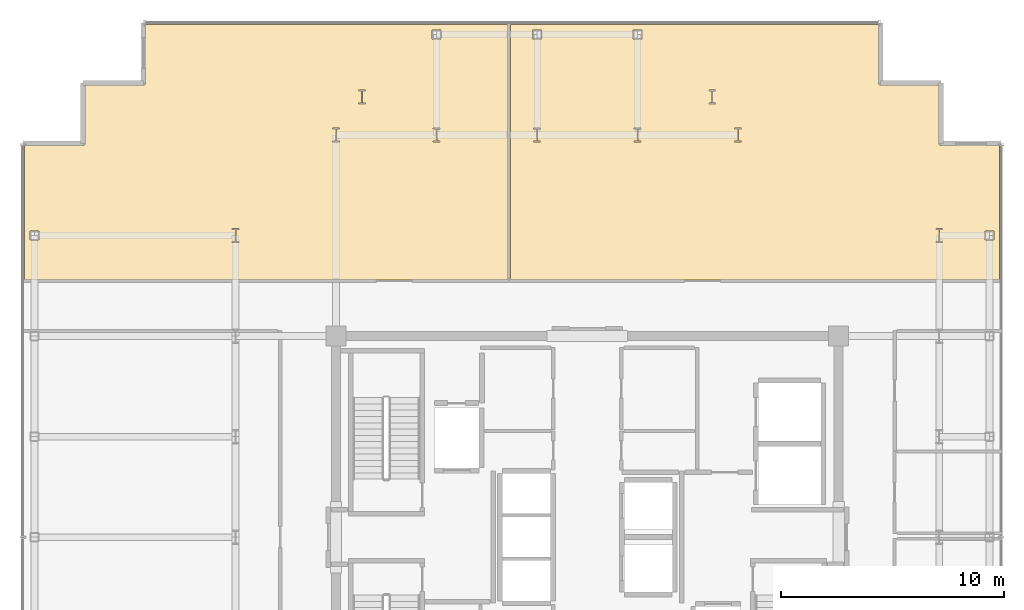
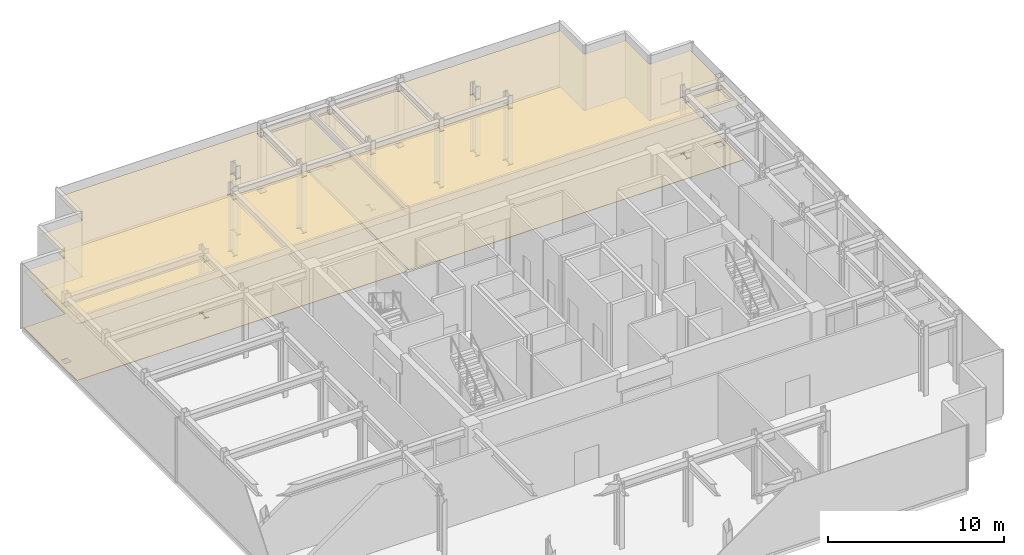
# One storey, part 17 of 17: 4 coverings.
"""IFC4 building model written with IfcOpenShell, lengths in metres."""

from ifc_helpers import new_model, si_unit, direction, frame, origin, place, context, subcontext, project, spatial, polyline, outline, extrude, material, layer, layer_set, type_object, element, save


model = new_model("IFC4")

# Units and contexts
model_context = context("Model", 3, precision=1e-05, world=origin(), true_north=direction((0.0, 1.0)))
body_context = subcontext(model_context, "Body", "Model", "MODEL_VIEW")
ifc_project = project(units=[si_unit("LENGTHUNIT", "METRE"), si_unit("AREAUNIT", "SQUARE_METRE"), si_unit("VOLUMEUNIT", "CUBIC_METRE"), si_unit("PLANEANGLEUNIT", "RADIAN"), si_unit("MASSUNIT", "GRAM", prefix="KILO")], contexts=[model_context])

# Site, building, storey
site_placement = place(None, origin())
site = spatial("IfcSite", under=ifc_project, at=site_placement, CompositionType="ELEMENT")
building_placement = place(site_placement, origin())
building = spatial("IfcBuilding", under=site, at=building_placement, Name="Nefas-Gora Pilgrimage Tower", CompositionType="ELEMENT")
storey_placement = place(building_placement, frame((0.0, 0.0, 349.0)))
storey = spatial("IfcBuildingStorey", under=building, at=storey_placement, Name="L88", CompositionType="ELEMENT", Elevation=349.0)

# Coverings
ifc_material_1 = material(Name="Perforated gypsum acoustic ceiling")
ifc_layer_1 = layer(ifc_material_1, 0.02490234375)
ifc_layer_set_1 = layer_set([ifc_layer_1], Name="Perforated gypsum acoustic ceiling")
covering_type_1 = type_object("IfcCoveringType", Name="COV-CEIL-ACOUST", PredefinedType="CEILING", material=ifc_layer_set_1)
covering_1_placement = place(storey_placement, frame((0.0, 0.0, 3.905029296875)))
element("IfcCovering", 1, at=covering_1_placement, inside=storey, type_object=covering_type_1, Name="L88 Acoustic Suspended Ceiling (Addis Ababa North Horizon Observation Deck)", PredefinedType="CEILING", context=body_context, shape_type="SweptSolid", body=[
    extrude(outline(polyline([(-25.18994140625, 17.5400390625), (-25.18994140625, 11.510009765625), (-13.719970703125, 11.510009765625), (-3.56005859375, 11.510009765625), (-3.56005859375, 22.93994140625), (-19.7900390625, 22.93994140625), (-19.7900390625, 20.320068359375), (-19.790283203125, 20.312255859375), (-19.79150390625, 20.304443359375), (-19.79345703125, 20.296875), (-19.796142578125, 20.289306640625), (-19.79931640625, 20.2822265625), (-19.803466796875, 20.275634765625), (-19.80810546875, 20.269287109375), (-19.8134765625, 20.263427734375), (-19.819091796875, 20.25830078125), (-19.82568359375, 20.25341796875), (-19.832275390625, 20.24951171875), (-19.83935546875, 20.24609375), (-19.8466796875, 20.243408203125), (-19.8544921875, 20.241455078125), (-19.8623046875, 20.240478515625), (-19.8701171875, 20.239990234375), (-22.489990234375, 20.239990234375), (-22.489990234375, 17.6201171875), (-22.490478515625, 17.6123046875), (-22.491455078125, 17.6044921875), (-22.493408203125, 17.5966796875), (-22.49609375, 17.58935546875), (-22.49951171875, 17.582275390625), (-22.50341796875, 17.57568359375), (-22.50830078125, 17.569091796875), (-22.513427734375, 17.5634765625), (-22.519287109375, 17.55810546875), (-22.525634765625, 17.553466796875), (-22.5322265625, 17.54931640625), (-22.539306640625, 17.546142578125), (-22.546875, 17.54345703125), (-22.554443359375, 17.54150390625), (-22.562255859375, 17.540283203125), (-22.570068359375, 17.5400390625), (-25.18994140625, 17.5400390625)]), holes=[polyline([(-6.548095703125, 22.701904296875), (-6.548095703125, 22.298095703125), (-6.951904296875, 22.298095703125), (-6.951904296875, 22.701904296875), (-6.548095703125, 22.701904296875)]), polyline([(-6.595458984375, 18.31201171875), (-6.595458984375, 18.26806640625), (-6.737548828125, 18.26806640625), (-6.737548828125, 17.73193359375), (-6.595458984375, 17.73193359375), (-6.595458984375, 17.68798828125), (-6.904541015625, 17.68798828125), (-6.904541015625, 17.73193359375), (-6.762451171875, 17.73193359375), (-6.762451171875, 18.26806640625), (-6.904541015625, 18.26806640625), (-6.904541015625, 18.31201171875), (-6.595458984375, 18.31201171875)]), polyline([(-10.24560546875, 20.008056640625), (-9.9365234375, 20.008056640625), (-9.9365234375, 19.964111328125), (-10.07861328125, 19.964111328125), (-10.07861328125, 19.427978515625), (-9.9365234375, 19.427978515625), (-9.9365234375, 19.384033203125), (-10.24560546875, 19.384033203125), (-10.24560546875, 19.427978515625), (-10.103515625, 19.427978515625), (-10.103515625, 19.964111328125), (-10.24560546875, 19.964111328125), (-10.24560546875, 20.008056640625)]), polyline([(-11.095458984375, 18.31201171875), (-11.095458984375, 18.26806640625), (-11.237548828125, 18.26806640625), (-11.237548828125, 17.73193359375), (-11.095458984375, 17.73193359375), (-11.095458984375, 17.68798828125), (-11.404541015625, 17.68798828125), (-11.404541015625, 17.73193359375), (-11.262451171875, 17.73193359375), (-11.262451171875, 18.26806640625), (-11.404541015625, 18.26806640625), (-11.404541015625, 18.31201171875), (-11.095458984375, 18.31201171875)]), polyline([(-15.904541015625, 13.81201171875), (-15.595458984375, 13.81201171875), (-15.595458984375, 13.76806640625), (-15.737548828125, 13.76806640625), (-15.737548828125, 13.23193359375), (-15.595458984375, 13.23193359375), (-15.595458984375, 13.18798828125), (-15.904541015625, 13.18798828125), (-15.904541015625, 13.23193359375), (-15.762451171875, 13.23193359375), (-15.762451171875, 13.76806640625), (-15.904541015625, 13.76806640625), (-15.904541015625, 13.81201171875)]), polyline([(-24.548095703125, 13.701904296875), (-24.548095703125, 13.298095703125), (-24.951904296875, 13.298095703125), (-24.951904296875, 13.701904296875), (-24.548095703125, 13.701904296875)])]), origin(), (0.0, 0.0, 1.0), 0.02490234375),
])
covering_2_placement = place(storey_placement, frame((0.0, 0.0, 3.905029296875)))
element("IfcCovering", 2, at=covering_2_placement, inside=storey, type_object=covering_type_1, Name="L88 Acoustic Suspended Ceiling (Entoto Ridge Viewing Gallery)", PredefinedType="CEILING", context=body_context, shape_type="SweptSolid", body=[
    extrude(outline(polyline([(13.0400390625, 22.93994140625), (-3.43994140625, 22.93994140625), (-3.43994140625, 11.510009765625), (13.719970703125, 11.510009765625), (18.43994140625, 11.510009765625), (18.43994140625, 17.5400390625), (15.820068359375, 17.5400390625), (15.812255859375, 17.540283203125), (15.804443359375, 17.54150390625), (15.796875, 17.54345703125), (15.789306640625, 17.546142578125), (15.7822265625, 17.54931640625), (15.775634765625, 17.553466796875), (15.769287109375, 17.55810546875), (15.763427734375, 17.5634765625), (15.75830078125, 17.569091796875), (15.75341796875, 17.57568359375), (15.74951171875, 17.582275390625), (15.74609375, 17.58935546875), (15.743408203125, 17.5966796875), (15.741455078125, 17.6044921875), (15.740478515625, 17.6123046875), (15.739990234375, 17.6201171875), (15.739990234375, 20.239990234375), (13.1201171875, 20.239990234375), (13.1123046875, 20.240478515625), (13.1044921875, 20.241455078125), (13.0966796875, 20.243408203125), (13.08935546875, 20.24609375), (13.082275390625, 20.24951171875), (13.07568359375, 20.25341796875), (13.069091796875, 20.25830078125), (13.0634765625, 20.263427734375), (13.05810546875, 20.269287109375), (13.053466796875, 20.275634765625), (13.04931640625, 20.2822265625), (13.046142578125, 20.289306640625), (13.04345703125, 20.296875), (13.04150390625, 20.304443359375), (13.040283203125, 20.312255859375), (13.0400390625, 20.320068359375), (13.0400390625, 22.93994140625)]), holes=[polyline([(18.201904296875, 13.701904296875), (18.201904296875, 13.298095703125), (17.798095703125, 13.298095703125), (17.798095703125, 13.701904296875), (18.201904296875, 13.701904296875)]), polyline([(15.904541015625, 13.81201171875), (15.904541015625, 13.76806640625), (15.762451171875, 13.76806640625), (15.762451171875, 13.23193359375), (15.904541015625, 13.23193359375), (15.904541015625, 13.18798828125), (15.595458984375, 13.18798828125), (15.595458984375, 13.23193359375), (15.737548828125, 13.23193359375), (15.737548828125, 13.76806640625), (15.595458984375, 13.76806640625), (15.595458984375, 13.81201171875), (15.904541015625, 13.81201171875)]), polyline([(6.904541015625, 18.31201171875), (6.904541015625, 18.26806640625), (6.762451171875, 18.26806640625), (6.762451171875, 17.73193359375), (6.904541015625, 17.73193359375), (6.904541015625, 17.68798828125), (6.595458984375, 17.68798828125), (6.595458984375, 17.73193359375), (6.737548828125, 17.73193359375), (6.737548828125, 18.26806640625), (6.595458984375, 18.26806640625), (6.595458984375, 18.31201171875), (6.904541015625, 18.31201171875)]), polyline([(5.74560546875, 20.008056640625), (5.74560546875, 19.964111328125), (5.603515625, 19.964111328125), (5.603515625, 19.427978515625), (5.74560546875, 19.427978515625), (5.74560546875, 19.384033203125), (5.4365234375, 19.384033203125), (5.4365234375, 19.427978515625), (5.57861328125, 19.427978515625), (5.57861328125, 19.964111328125), (5.4365234375, 19.964111328125), (5.4365234375, 20.008056640625), (5.74560546875, 20.008056640625)]), polyline([(2.451904296875, 22.701904296875), (2.451904296875, 22.298095703125), (2.048095703125, 22.298095703125), (2.048095703125, 22.701904296875), (2.451904296875, 22.701904296875)]), polyline([(2.404541015625, 18.31201171875), (2.404541015625, 18.26806640625), (2.262451171875, 18.26806640625), (2.262451171875, 17.73193359375), (2.404541015625, 17.73193359375), (2.404541015625, 17.68798828125), (2.095458984375, 17.68798828125), (2.095458984375, 17.73193359375), (2.237548828125, 17.73193359375), (2.237548828125, 18.26806640625), (2.095458984375, 18.26806640625), (2.095458984375, 18.31201171875), (2.404541015625, 18.31201171875)]), polyline([(-2.048095703125, 22.701904296875), (-2.048095703125, 22.298095703125), (-2.451904296875, 22.298095703125), (-2.451904296875, 22.701904296875), (-2.048095703125, 22.701904296875)]), polyline([(-2.404541015625, 18.31201171875), (-2.095458984375, 18.31201171875), (-2.095458984375, 18.26806640625), (-2.237548828125, 18.26806640625), (-2.237548828125, 17.73193359375), (-2.095458984375, 17.73193359375), (-2.095458984375, 17.68798828125), (-2.404541015625, 17.68798828125), (-2.404541015625, 17.73193359375), (-2.262451171875, 17.73193359375), (-2.262451171875, 18.26806640625), (-2.404541015625, 18.26806640625), (-2.404541015625, 18.31201171875)])]), origin(), (0.0, 0.0, 1.0), 0.02490234375),
])
ifc_material_2 = material(Name="Honed granite stone flooring", Category="masonry")
ifc_layer_2 = layer(ifc_material_2, 0.030029296875)
ifc_layer_set_2 = layer_set([ifc_layer_2], Name="Honed granite stone flooring")
covering_type_2 = type_object("IfcCoveringType", Name="COV-FLOR-GRAN", PredefinedType="FLOORING", material=ifc_layer_set_2)
covering_3_placement = place(storey_placement, origin())
element("IfcCovering", 3, at=covering_3_placement, inside=storey, type_object=covering_type_2, Name="L88 Honed Granite Flooring (Addis Ababa North Horizon Observation Deck)", PredefinedType="FLOORING", context=body_context, shape_type="SweptSolid", body=[
    extrude(outline(polyline([(-25.18994140625, 17.5400390625), (-25.18994140625, 11.510009765625), (-13.719970703125, 11.510009765625), (-3.56005859375, 11.510009765625), (-3.56005859375, 22.93994140625), (-19.7900390625, 22.93994140625), (-19.7900390625, 20.320068359375), (-19.790283203125, 20.312255859375), (-19.79150390625, 20.304443359375), (-19.79345703125, 20.296875), (-19.796142578125, 20.289306640625), (-19.79931640625, 20.2822265625), (-19.803466796875, 20.275634765625), (-19.80810546875, 20.269287109375), (-19.8134765625, 20.263427734375), (-19.819091796875, 20.25830078125), (-19.82568359375, 20.25341796875), (-19.832275390625, 20.24951171875), (-19.83935546875, 20.24609375), (-19.8466796875, 20.243408203125), (-19.8544921875, 20.241455078125), (-19.8623046875, 20.240478515625), (-19.8701171875, 20.239990234375), (-22.489990234375, 20.239990234375), (-22.489990234375, 17.6201171875), (-22.490478515625, 17.6123046875), (-22.491455078125, 17.6044921875), (-22.493408203125, 17.5966796875), (-22.49609375, 17.58935546875), (-22.49951171875, 17.582275390625), (-22.50341796875, 17.57568359375), (-22.50830078125, 17.569091796875), (-22.513427734375, 17.5634765625), (-22.519287109375, 17.55810546875), (-22.525634765625, 17.553466796875), (-22.5322265625, 17.54931640625), (-22.539306640625, 17.546142578125), (-22.546875, 17.54345703125), (-22.554443359375, 17.54150390625), (-22.562255859375, 17.540283203125), (-22.570068359375, 17.5400390625), (-25.18994140625, 17.5400390625)]), holes=[polyline([(-6.548095703125, 22.701904296875), (-6.548095703125, 22.298095703125), (-6.951904296875, 22.298095703125), (-6.951904296875, 22.701904296875), (-6.548095703125, 22.701904296875)]), polyline([(-6.595458984375, 18.31201171875), (-6.595458984375, 18.26806640625), (-6.737548828125, 18.26806640625), (-6.737548828125, 17.73193359375), (-6.595458984375, 17.73193359375), (-6.595458984375, 17.68798828125), (-6.904541015625, 17.68798828125), (-6.904541015625, 17.73193359375), (-6.762451171875, 17.73193359375), (-6.762451171875, 18.26806640625), (-6.904541015625, 18.26806640625), (-6.904541015625, 18.31201171875), (-6.595458984375, 18.31201171875)]), polyline([(-10.24560546875, 20.008056640625), (-9.9365234375, 20.008056640625), (-9.9365234375, 19.964111328125), (-10.07861328125, 19.964111328125), (-10.07861328125, 19.427978515625), (-9.9365234375, 19.427978515625), (-9.9365234375, 19.384033203125), (-10.24560546875, 19.384033203125), (-10.24560546875, 19.427978515625), (-10.103515625, 19.427978515625), (-10.103515625, 19.964111328125), (-10.24560546875, 19.964111328125), (-10.24560546875, 20.008056640625)]), polyline([(-11.095458984375, 18.31201171875), (-11.095458984375, 18.26806640625), (-11.237548828125, 18.26806640625), (-11.237548828125, 17.73193359375), (-11.095458984375, 17.73193359375), (-11.095458984375, 17.68798828125), (-11.404541015625, 17.68798828125), (-11.404541015625, 17.73193359375), (-11.262451171875, 17.73193359375), (-11.262451171875, 18.26806640625), (-11.404541015625, 18.26806640625), (-11.404541015625, 18.31201171875), (-11.095458984375, 18.31201171875)]), polyline([(-15.904541015625, 13.81201171875), (-15.595458984375, 13.81201171875), (-15.595458984375, 13.76806640625), (-15.737548828125, 13.76806640625), (-15.737548828125, 13.23193359375), (-15.595458984375, 13.23193359375), (-15.595458984375, 13.18798828125), (-15.904541015625, 13.18798828125), (-15.904541015625, 13.23193359375), (-15.762451171875, 13.23193359375), (-15.762451171875, 13.76806640625), (-15.904541015625, 13.76806640625), (-15.904541015625, 13.81201171875)]), polyline([(-24.548095703125, 13.701904296875), (-24.548095703125, 13.298095703125), (-24.951904296875, 13.298095703125), (-24.951904296875, 13.701904296875), (-24.548095703125, 13.701904296875)])]), origin(), (0.0, 0.0, 1.0), 0.030029296875),
])
covering_4_placement = place(storey_placement, origin())
element("IfcCovering", 4, at=covering_4_placement, inside=storey, type_object=covering_type_2, Name="L88 Honed Granite Flooring (Entoto Ridge Viewing Gallery)", PredefinedType="FLOORING", context=body_context, shape_type="SweptSolid", body=[
    extrude(outline(polyline([(13.0400390625, 22.93994140625), (-3.43994140625, 22.93994140625), (-3.43994140625, 11.510009765625), (13.719970703125, 11.510009765625), (18.43994140625, 11.510009765625), (18.43994140625, 17.5400390625), (15.820068359375, 17.5400390625), (15.812255859375, 17.540283203125), (15.804443359375, 17.54150390625), (15.796875, 17.54345703125), (15.789306640625, 17.546142578125), (15.7822265625, 17.54931640625), (15.775634765625, 17.553466796875), (15.769287109375, 17.55810546875), (15.763427734375, 17.5634765625), (15.75830078125, 17.569091796875), (15.75341796875, 17.57568359375), (15.74951171875, 17.582275390625), (15.74609375, 17.58935546875), (15.743408203125, 17.5966796875), (15.741455078125, 17.6044921875), (15.740478515625, 17.6123046875), (15.739990234375, 17.6201171875), (15.739990234375, 20.239990234375), (13.1201171875, 20.239990234375), (13.1123046875, 20.240478515625), (13.1044921875, 20.241455078125), (13.0966796875, 20.243408203125), (13.08935546875, 20.24609375), (13.082275390625, 20.24951171875), (13.07568359375, 20.25341796875), (13.069091796875, 20.25830078125), (13.0634765625, 20.263427734375), (13.05810546875, 20.269287109375), (13.053466796875, 20.275634765625), (13.04931640625, 20.2822265625), (13.046142578125, 20.289306640625), (13.04345703125, 20.296875), (13.04150390625, 20.304443359375), (13.040283203125, 20.312255859375), (13.0400390625, 20.320068359375), (13.0400390625, 22.93994140625)]), holes=[polyline([(18.201904296875, 13.701904296875), (18.201904296875, 13.298095703125), (17.798095703125, 13.298095703125), (17.798095703125, 13.701904296875), (18.201904296875, 13.701904296875)]), polyline([(15.904541015625, 13.81201171875), (15.904541015625, 13.76806640625), (15.762451171875, 13.76806640625), (15.762451171875, 13.23193359375), (15.904541015625, 13.23193359375), (15.904541015625, 13.18798828125), (15.595458984375, 13.18798828125), (15.595458984375, 13.23193359375), (15.737548828125, 13.23193359375), (15.737548828125, 13.76806640625), (15.595458984375, 13.76806640625), (15.595458984375, 13.81201171875), (15.904541015625, 13.81201171875)]), polyline([(6.904541015625, 18.31201171875), (6.904541015625, 18.26806640625), (6.762451171875, 18.26806640625), (6.762451171875, 17.73193359375), (6.904541015625, 17.73193359375), (6.904541015625, 17.68798828125), (6.595458984375, 17.68798828125), (6.595458984375, 17.73193359375), (6.737548828125, 17.73193359375), (6.737548828125, 18.26806640625), (6.595458984375, 18.26806640625), (6.595458984375, 18.31201171875), (6.904541015625, 18.31201171875)]), polyline([(5.74560546875, 20.008056640625), (5.74560546875, 19.964111328125), (5.603515625, 19.964111328125), (5.603515625, 19.427978515625), (5.74560546875, 19.427978515625), (5.74560546875, 19.384033203125), (5.4365234375, 19.384033203125), (5.4365234375, 19.427978515625), (5.57861328125, 19.427978515625), (5.57861328125, 19.964111328125), (5.4365234375, 19.964111328125), (5.4365234375, 20.008056640625), (5.74560546875, 20.008056640625)]), polyline([(2.451904296875, 22.701904296875), (2.451904296875, 22.298095703125), (2.048095703125, 22.298095703125), (2.048095703125, 22.701904296875), (2.451904296875, 22.701904296875)]), polyline([(2.404541015625, 18.31201171875), (2.404541015625, 18.26806640625), (2.262451171875, 18.26806640625), (2.262451171875, 17.73193359375), (2.404541015625, 17.73193359375), (2.404541015625, 17.68798828125), (2.095458984375, 17.68798828125), (2.095458984375, 17.73193359375), (2.237548828125, 17.73193359375), (2.237548828125, 18.26806640625), (2.095458984375, 18.26806640625), (2.095458984375, 18.31201171875), (2.404541015625, 18.31201171875)]), polyline([(-2.048095703125, 22.701904296875), (-2.048095703125, 22.298095703125), (-2.451904296875, 22.298095703125), (-2.451904296875, 22.701904296875), (-2.048095703125, 22.701904296875)]), polyline([(-2.404541015625, 18.31201171875), (-2.095458984375, 18.31201171875), (-2.095458984375, 18.26806640625), (-2.237548828125, 18.26806640625), (-2.237548828125, 17.73193359375), (-2.095458984375, 17.73193359375), (-2.095458984375, 17.68798828125), (-2.404541015625, 17.68798828125), (-2.404541015625, 17.73193359375), (-2.262451171875, 17.73193359375), (-2.262451171875, 18.26806640625), (-2.404541015625, 18.26806640625), (-2.404541015625, 18.31201171875)])]), origin(), (0.0, 0.0, 1.0), 0.030029296875),
])

save(model, "model.ifc")
